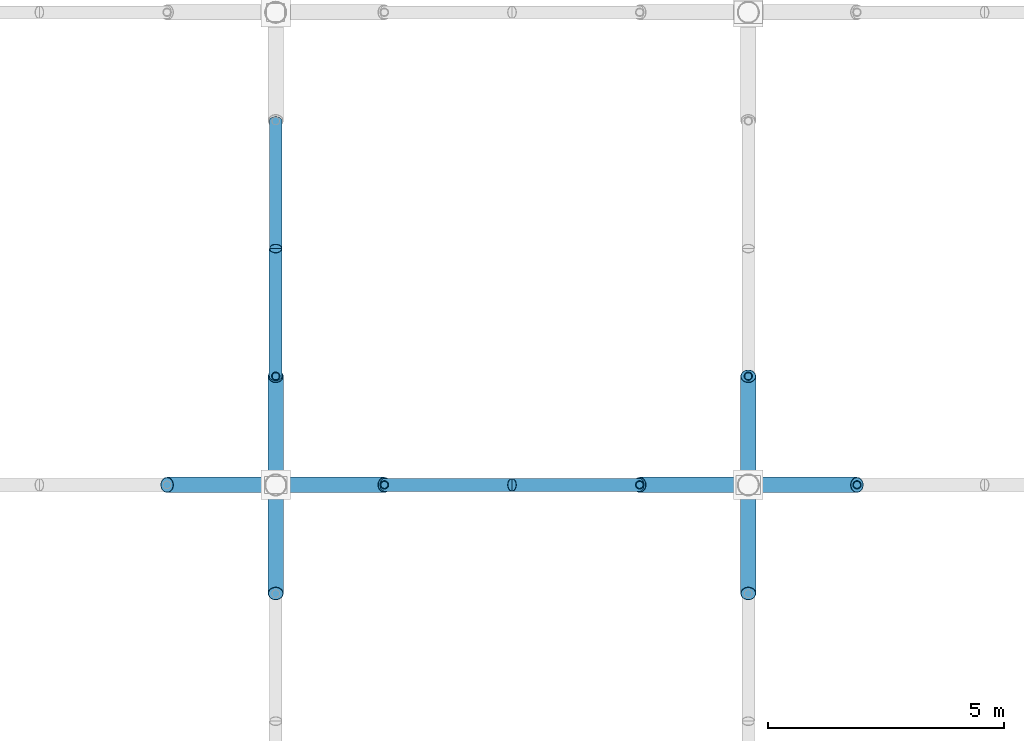
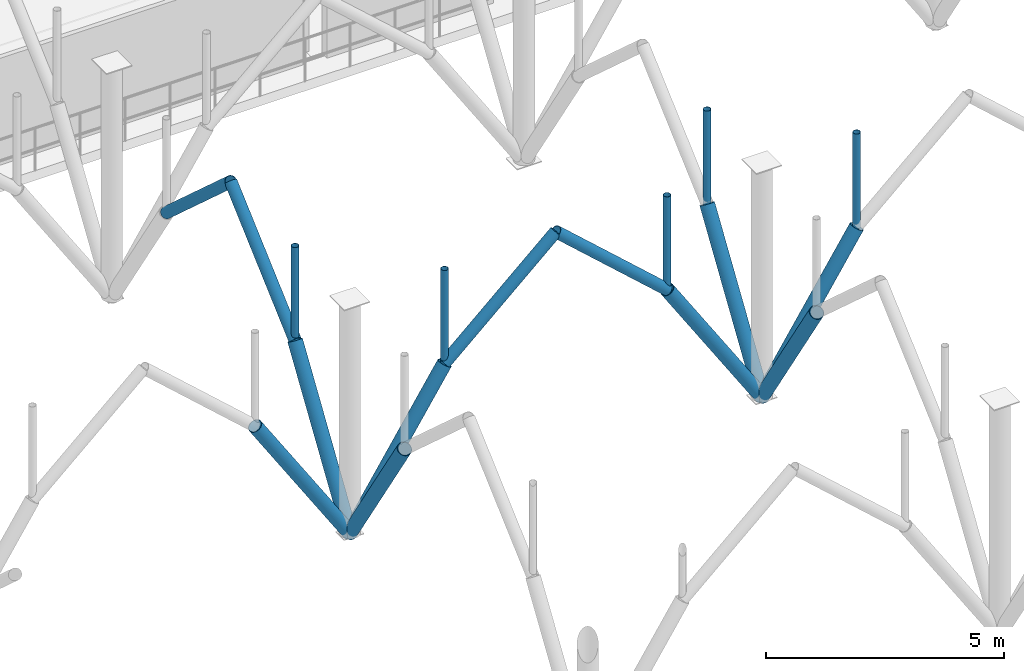
# One storey, part 53 of 109: 17 members.
"""IFC4 building model written with IfcOpenShell, lengths in metres."""

import ifcopenshell
import ifcopenshell.guid

model = None  # the IFC model being written
_history = None  # IfcOwnerHistory: only IFC2X3 demands one
_inside = {}  # id of a spatial element -> (the spatial element, [elements in it])
_under = {}  # id of a project, library or spatial element -> (it, [spatial elements below it])
_declared = {}  # id of a project -> (the project, [libraries it declares])
_typed = {}  # id of a type object -> (the type object, [elements of that type])
_made_of = {}  # id of a material, layer set ... -> (it, [elements and type objects made of it])


def new_model(schema):
    """Start an empty IFC model of exactly this schema.

    Asked for "IFC4X3", IfcOpenShell would pick the latest addendum, in which some entities
    have other attributes; the version numbers below select the first issue.
    IFC2X3 requires an IfcOwnerHistory on every rooted entity: one is made here for all.
    """
    global model, _history
    if schema == "IFC4X3":
        model = ifcopenshell.file(schema_version=(4, 3, 0, 0))
    else:
        model = ifcopenshell.file(schema=schema)
    _inside.clear()
    _under.clear()
    _declared.clear()
    _typed.clear()
    _made_of.clear()
    _history = None
    if model.schema == "IFC2X3":
        org = make("IfcOrganization", Name="unknown")
        user = make(
            "IfcPersonAndOrganization",
            ThePerson=make("IfcPerson", FamilyName="unknown"),
            TheOrganization=org,
        )
        app = make(
            "IfcApplication",
            ApplicationDeveloper=org,
            Version="unknown",
            ApplicationFullName="unknown",
            ApplicationIdentifier="unknown",
        )
        _history = make(
            "IfcOwnerHistory",
            OwningUser=user,
            OwningApplication=app,
            ChangeAction="ADDED",
            CreationDate=0,
        )
    return model


def make(cls, **values):
    """One entity of the class cls with the attributes given. An attribute that is None is left unset."""
    return model.create_entity(
        cls, **{name: value for name, value in values.items() if value is not None}
    )


def rooted(cls, **values):
    """An entity with a GlobalId (a new one), such as an element, a storey or a relation."""
    return make(cls, GlobalId=ifcopenshell.guid.new(), OwnerHistory=_history, **values)


def si_unit(unit_type, name, prefix=None):
    """IfcSIUnit, for example si_unit("LENGTHUNIT", "METRE", prefix="MILLI")."""
    return make("IfcSIUnit", UnitType=unit_type, Prefix=prefix, Name=name)


def derived_unit(unit_type, elements):
    """IfcDerivedUnit: a product of units, each with its exponent."""
    return make(
        "IfcDerivedUnit",
        Elements=[
            make("IfcDerivedUnitElement", Unit=unit, Exponent=power)
            for unit, power in elements
        ],
        UnitType=unit_type,
    )


def assignment(units):
    """IfcUnitAssignment: the units of a project."""
    return None if units is None else make("IfcUnitAssignment", Units=units)


def point(xyz):
    """IfcCartesianPoint."""
    return None if xyz is None else make("IfcCartesianPoint", Coordinates=xyz)


def direction(xyz):
    """IfcDirection."""
    return None if xyz is None else make("IfcDirection", DirectionRatios=xyz)


def frame(location, z_axis=None, x_axis=None):
    """IfcAxis2Placement3D, a coordinate frame: its origin and axes. An axis left out is left unset."""
    return make(
        "IfcAxis2Placement3D",
        Location=point(location),
        Axis=direction(z_axis),
        RefDirection=direction(x_axis),
    )


def frame_2d(location, x_axis=None):
    """IfcAxis2Placement2D, a coordinate frame in the plane: its origin and x axis."""
    return make(
        "IfcAxis2Placement2D", Location=point(location), RefDirection=direction(x_axis)
    )


def origin():
    """The frame at (0, 0, 0) with its axes left unset."""
    return frame((0.0, 0.0, 0.0))


def origin_2d_with_axis():
    """The frame at (0, 0) in the plane with the x axis (1, 0) written out."""
    return frame_2d((0.0, 0.0), x_axis=(1.0, 0.0))


def place(relative_to, where):
    """IfcLocalPlacement: puts the frame where relative to a parent placement (None: the world)."""
    return make(
        "IfcLocalPlacement", PlacementRelTo=relative_to, RelativePlacement=where
    )


def context(
    kind, dimensions, precision=None, world=None, true_north=None, identifier=None
):
    """IfcGeometricRepresentationContext, for example the 3D "Model" context."""
    return make(
        "IfcGeometricRepresentationContext",
        ContextIdentifier=identifier,
        ContextType=kind,
        CoordinateSpaceDimension=dimensions,
        Precision=precision,
        WorldCoordinateSystem=world,
        TrueNorth=true_north,
    )


def subcontext(parent, identifier, kind, view, scale=None):
    """IfcGeometricRepresentationSubContext, for example "Body" below "Model"."""
    return make(
        "IfcGeometricRepresentationSubContext",
        ContextIdentifier=identifier,
        ContextType=kind,
        ParentContext=parent,
        TargetScale=scale,
        TargetView=view,
    )


def project(units=None, contexts=None):
    """IfcProject with its units and contexts."""
    return rooted(
        "IfcProject",
        Name="project",
        RepresentationContexts=contexts,
        UnitsInContext=assignment(units),
    )


def spatial(cls, under=None, at=None, **own):
    """A site, building, storey or space (cls), placed at a placement, below another one or the project."""
    s = rooted(cls, ObjectPlacement=at, **own)
    if under is not None:
        _under.setdefault(under.id(), (under, []))[1].append(s)
    return s


def profile(cls, at=None, kind="AREA", **sizes):
    """A parametric profile (cls). Its sizes go by their IFC names, for example OverallWidth=200.0."""
    return make(cls, ProfileType=kind, Position=at, **sizes)


def hollow_circle(**sizes):
    """IfcCircleHollowProfileDef."""
    return profile("IfcCircleHollowProfileDef", **sizes)


def extrude(swept, where, along, depth):
    """IfcExtrudedAreaSolid: the profile swept, set in the frame where, extruded along a direction by depth."""
    return make(
        "IfcExtrudedAreaSolid",
        SweptArea=swept,
        Position=where,
        ExtrudedDirection=direction(along),
        Depth=depth,
    )


def shape(context_of_items, identifier, shape_type, items):
    """IfcShapeRepresentation: the items that make up one representation, for example the "Body"."""
    return make(
        "IfcShapeRepresentation",
        ContextOfItems=context_of_items,
        RepresentationIdentifier=identifier,
        RepresentationType=shape_type,
        Items=items,
    )


def material(Name=None, Category=None):
    """IfcMaterial."""
    return make("IfcMaterial", Name=Name, Category=Category)


def material_profile(
    of_material, cross_section, Name=None, Category=None, Priority=None
):
    """IfcMaterialProfile: a cross section and its material."""
    return make(
        "IfcMaterialProfile",
        Name=Name,
        Material=of_material,
        Profile=cross_section,
        Priority=Priority,
        Category=Category,
    )


def profile_set(profiles, Name=None, composite=None):
    """IfcMaterialProfileSet."""
    return make(
        "IfcMaterialProfileSet",
        Name=Name,
        MaterialProfiles=profiles,
        CompositeProfile=composite,
    )


def made_of(thing, what):
    """Note that an element or type object is made of a material, layer set ...; save() writes the relation."""
    if what is not None:
        _made_of.setdefault(what.id(), (what, []))[1].append(thing)
    return thing


def type_object(cls, material=None, **own):
    """A type object (cls), such as IfcWallType, which elements share."""
    return made_of(rooted(cls, **own), material)


def element(
    cls,
    number,
    at=None,
    inside=None,
    cuts=None,
    type_object=None,
    material=None,
    context=None,
    identifier="Body",
    shape_type=None,
    held_by="IfcProductDefinitionShape",
    body=None,
    shapes=None,
    **own,
):
    """One element of the class cls, such as IfcWall. Its Tag is "e" and its number.

    at: its placement. inside: the storey or other place that contains it. cuts: it is an
    opening in that element (IfcRelVoidsElement). A single representation is given by context,
    identifier, shape_type and body (its items); several are given by shapes. held_by: the class
    of the entity that holds the representations. save() writes the other relations.
    """
    e = rooted(cls, Tag="e%d" % number, ObjectPlacement=at, **own)
    if body is not None:
        shapes = [shape(context, identifier, shape_type, body)]
    if shapes is not None:
        e.Representation = make(held_by, Representations=shapes)
    if inside is not None:
        _inside.setdefault(inside.id(), (inside, []))[1].append(e)
    if cuts is not None:
        rooted(
            "IfcRelVoidsElement", RelatingBuildingElement=cuts, RelatedOpeningElement=e
        )
    if type_object is not None:
        _typed.setdefault(type_object.id(), (type_object, []))[1].append(e)
    return made_of(e, material)


def aggregate(whole, parts):
    """IfcRelAggregates: a whole, such as a stair, and the parts it consists of."""
    return rooted("IfcRelAggregates", RelatingObject=whole, RelatedObjects=parts)


def save(model, path):
    """Write the relations noted so far, then the file.

    IfcRelAggregates (storeys below a building ...), IfcRelContainedInSpatialStructure (elements
    in a storey), IfcRelDefinesByType, IfcRelAssociatesMaterial and IfcRelDeclares: one each for
    every whole, place, type object, material and project.
    """
    for whole, parts in _under.values():
        aggregate(whole, parts)
    for where, things in _inside.values():
        rooted(
            "IfcRelContainedInSpatialStructure",
            RelatedElements=things,
            RelatingStructure=where,
        )
    for kind, things in _typed.values():
        rooted("IfcRelDefinesByType", RelatedObjects=things, RelatingType=kind)
    for what, things in _made_of.values():
        rooted("IfcRelAssociatesMaterial", RelatedObjects=things, RelatingMaterial=what)
    for by, libraries in _declared.values():
        rooted("IfcRelDeclares", RelatingContext=by, RelatedDefinitions=libraries)
    model.write(path)


model = new_model("IFC4")

# Units and contexts
model_context = context("Model", 3, precision=1e-05, world=origin(), true_north=direction((0.0, 1.0)))
body_context = subcontext(model_context, "Body", "Model", "MODEL_VIEW")
ifc_project = project(units=[si_unit("LENGTHUNIT", "METRE"), si_unit("AREAUNIT", "SQUARE_METRE"), si_unit("VOLUMEUNIT", "CUBIC_METRE"), si_unit("PLANEANGLEUNIT", "RADIAN"), si_unit("MASSUNIT", "GRAM", prefix="KILO"), derived_unit("THERMALTRANSMITTANCEUNIT", [(si_unit("POWERUNIT", "WATT"), 1), (si_unit("LENGTHUNIT", "METRE"), -2), (si_unit("THERMODYNAMICTEMPERATUREUNIT", "KELVIN"), -1)])], contexts=[model_context])

# Site, building, storey
site_placement = place(None, origin())
site = spatial("IfcSite", under=ifc_project, at=site_placement, CompositionType="ELEMENT")
building_placement = place(site_placement, origin())
building = spatial("IfcBuilding", under=site, at=building_placement, Name="Cinnabar Yard Market Hall", CompositionType="ELEMENT")
storey_placement = place(building_placement, frame((0.0, 0.0, 8.39990234375)))
storey = spatial("IfcBuildingStorey", under=building, at=storey_placement, Name="L02", CompositionType="ELEMENT", Elevation=8.39990234375)

# Members
ifc_material_1 = material(Name="Spotted-gum glulam-clad steel Grade 350 (350 MPa)", Category="steel")
ifc_material_profile_1 = material_profile(ifc_material_1, hollow_circle(Radius=0.136474609375, WallThickness=0.00927734375, at=origin_2d_with_axis()), Name="273.1x9.3CHS")
ifc_profile_set_1 = profile_set([ifc_material_profile_1], Name="Spotted-gum glulam-clad steel Grade 350 (350 MPa)")
member_type_1 = type_object("IfcMemberType", Name="MB-AR01", PredefinedType="USERDEFINED", material=ifc_profile_set_1)
for number, where, z_axis, x_axis, name in (
    (1, (98.300048828125, 44.0, 3.550048828125), (0.743297488271, 0.0, 0.668961018244), (0.0, 1.0, 0.0), "Pointed Arch Rib 0036"),
    (2, (96.0, 46.300048828125, 3.550048828125), (0.0, 0.743297488271, 0.668961018244), (-1.0, 0.0, 0.0), "Pointed Arch Rib 0038"),
    (3, (96.0, 51.699951171875, 3.550048828125), (0.0, -0.743297488271, 0.668961018244), (1.0, 0.0, 0.0), "Pointed Arch Rib 0043"),
    (4, (103.699951171875, 44.0, 3.550048828125), (-0.743297488271, 0.0, 0.668961018244), (0.0, -1.0, 0.0), "Pointed Arch Rib 0054"),
):
    element("IfcMember", number, at=place(storey_placement, frame(where, z_axis=z_axis, x_axis=x_axis)), inside=storey, type_object=member_type_1, Name=name, ObjectType="ARCH RIB", PredefinedType="USERDEFINED", context=body_context, shape_type="SweptSolid", body=[
        extrude(hollow_circle(Radius=0.136474609375, WallThickness=0.00927734375, at=origin_2d_with_axis()), origin(), (0.0, 0.0, 1.0), 3.63232421875),
    ])
ifc_material_profile_2 = material_profile(ifc_material_1, hollow_circle(Radius=0.161865234375, WallThickness=0.009521484375, at=origin_2d_with_axis()), Name="323.9x9.5CHS")
ifc_profile_set_2 = profile_set([ifc_material_profile_2], Name="Spotted-gum glulam-clad steel Grade 350 (350 MPa)")
member_type_2 = type_object("IfcMemberType", Name="MB-ST01", PredefinedType="STRUT", material=ifc_profile_set_2)
for number, where, z_axis, x_axis, name in (
    (5, (96.0, 44.0, 0.0), (0.543744165176, 0.0, 0.839251024925), (0.0, 1.0, 0.0), "Curved Branch Arm Lower 0036"),
    (6, (96.0, 44.0, 0.0), (-0.543744165176, 0.0, 0.839251024925), (0.0, -1.0, 0.0), "Curved Branch Arm Lower 0037"),
    (7, (96.0, 44.0, 0.0), (0.0, 0.543744165176, 0.839251024925), (-1.0, 0.0, 0.0), "Curved Branch Arm Lower 0038"),
    (8, (96.0, 44.0, 0.0), (0.0, -0.543744165176, 0.839251024925), (1.0, 0.0, 0.0), "Curved Branch Arm Lower 0039"),
    (9, (106.0, 44.0, 0.0), (0.543744165176, 0.0, 0.839251024925), (0.0, 1.0, 0.0), "Curved Branch Arm Lower 0053"),
    (10, (106.0, 44.0, 0.0), (-0.543744165176, 0.0, 0.839251024925), (0.0, -1.0, 0.0), "Curved Branch Arm Lower 0054"),
    (11, (106.0, 44.0, 0.0), (0.0, 0.543744165176, 0.839251024925), (-1.0, 0.0, 0.0), "Curved Branch Arm Lower 0055"),
    (12, (106.0, 44.0, 0.0), (0.0, -0.543744165176, 0.839251024925), (1.0, 0.0, 0.0), "Curved Branch Arm Lower 0056"),
):
    element("IfcMember", number, at=place(storey_placement, frame(where, z_axis=z_axis, x_axis=x_axis)), inside=storey, type_object=member_type_2, Name=name, PredefinedType="STRUT", context=body_context, shape_type="SweptSolid", body=[
        extrude(hollow_circle(Radius=0.161865234375, WallThickness=0.009521484375, at=origin_2d_with_axis()), origin(), (0.0, 0.0, 1.0), 4.22998046875),
    ])
ifc_material_2 = material(Name="Cold-formed steel C350L0", Category="steel")
ifc_material_profile_3 = material_profile(ifc_material_2, hollow_circle(Radius=0.084228515625, WallThickness=0.00634765625, at=origin_2d_with_axis()), Name="168.3x6.4CHS")
ifc_profile_set_3 = profile_set([ifc_material_profile_3], Name="Cold-formed steel C350L0")
member_type_3 = type_object("IfcMemberType", Name="MB-WB01", PredefinedType="STRUT", material=ifc_profile_set_3)
for number, where, z_axis, x_axis, name in (
    (13, (98.300048828125, 44.0, 3.550048828125), (0.0, 0.0, 1.0), (1.0, 0.0, 0.0), "Arch Spandrel Post 0036"),
    (14, (96.0, 46.300048828125, 3.550048828125), (0.0, 0.0, 1.0), (1.0, 0.0, 0.0), "Arch Spandrel Post 0038"),
    (15, (108.300048828125, 44.0, 3.550048828125), (0.0, 0.0, 1.0), (1.0, 0.0, 0.0), "Arch Spandrel Post 0053"),
    (16, (103.699951171875, 44.0, 3.550048828125), (0.0, 0.0, 1.0), (1.0, 0.0, 0.0), "Arch Spandrel Post 0054"),
    (17, (106.0, 46.300048828125, 3.550048828125), (0.0, 0.0, 1.0), (1.0, 0.0, 0.0), "Arch Spandrel Post 0055"),
):
    element("IfcMember", number, at=place(storey_placement, frame(where, z_axis=z_axis, x_axis=x_axis)), inside=storey, type_object=member_type_3, Name=name, PredefinedType="STRUT", context=body_context, shape_type="SweptSolid", body=[
        extrude(hollow_circle(Radius=0.084228515625, WallThickness=0.00634765625, at=origin_2d_with_axis()), origin(), (0.0, 0.0, 1.0), 2.429931640625),
    ])

save(model, "model.ifc")
